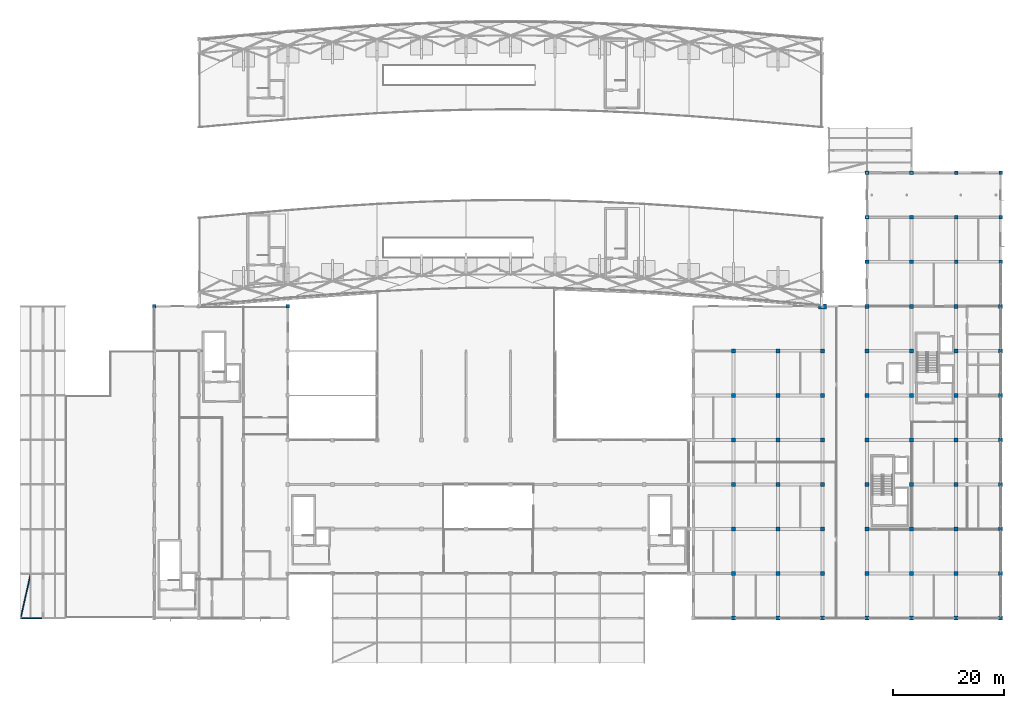
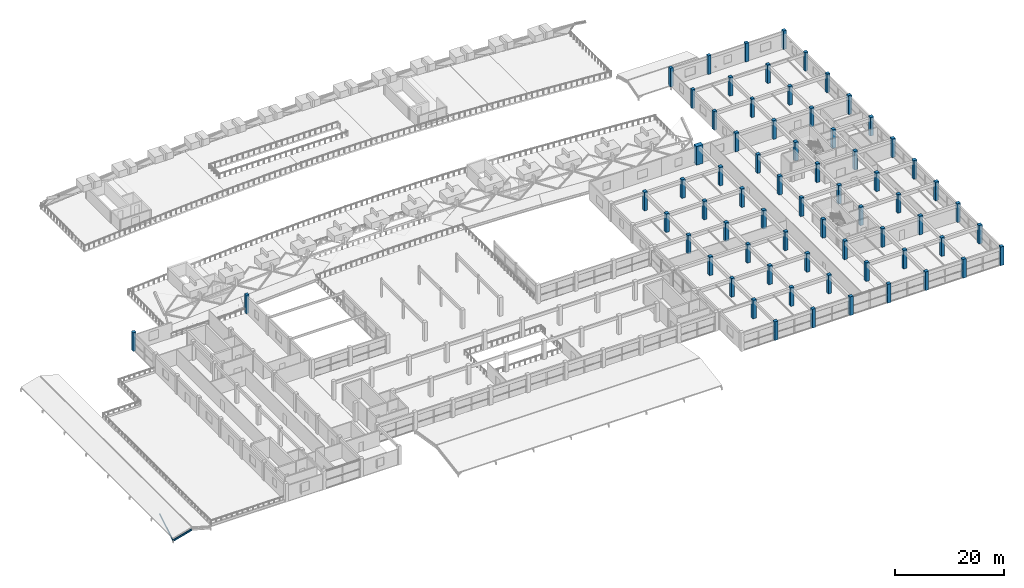
# One storey, part 4 of 67: 68 columns, 1 beam, 1 member.
"""IFC4 building model written with IfcOpenShell, lengths in metres."""

from ifc_helpers import new_model, si_unit, direction, frame, origin, origin_2d, place, context, subcontext, project, spatial, rectangle, hollow_circle, i_section, extrude, material, material_profile, profile_set, type_object, element, save


model = new_model("IFC4")

# Units and contexts
model_context = context("Model", 3, precision=1e-05, world=origin(), true_north=direction((0.0, 1.0)))
body_context = subcontext(model_context, "Body", "Model", "MODEL_VIEW")
ifc_project = project(units=[si_unit("LENGTHUNIT", "METRE"), si_unit("AREAUNIT", "SQUARE_METRE"), si_unit("VOLUMEUNIT", "CUBIC_METRE"), si_unit("PLANEANGLEUNIT", "RADIAN"), si_unit("MASSUNIT", "GRAM", prefix="KILO")], contexts=[model_context])

# Site, building, storey
site_placement = place(None, origin())
site = spatial("IfcSite", under=ifc_project, at=site_placement, CompositionType="ELEMENT")
building_placement = place(site_placement, origin())
building = spatial("IfcBuilding", under=site, at=building_placement, Name="Kenh Van Central Station", CompositionType="ELEMENT")
storey_placement = place(building_placement, frame((0.0, 0.0, 10.800048828125)))
storey = spatial("IfcBuildingStorey", under=building, at=storey_placement, Name="L02", CompositionType="ELEMENT", Elevation=10.800048828125)

# Columns
ifc_material_1 = material(Name="Concrete C40/50", Category="concrete")
ifc_material_profile_1 = material_profile(ifc_material_1, rectangle(XDim=1.39990234375, YDim=0.89990234375, at=origin_2d()), Name="RC 1400x900")
ifc_profile_set_1 = profile_set([ifc_material_profile_1], Name="Concrete C40/50")
column_type_1 = type_object("IfcColumnType", Name="COL-PIER-1400x900", PredefinedType="COLUMN", material=ifc_profile_set_1)
column_placement = place(storey_placement, frame((144.0, 64.0, 0.0), z_axis=(0.0, 0.0, 1.0), x_axis=(1.0, 0.0, 0.0)))
element("IfcColumn", 1, at=column_placement, inside=storey, type_object=column_type_1, Name="L02 column VP-14-0", PredefinedType="COLUMN", context=body_context, shape_type="SweptSolid", body=[
    extrude(rectangle(XDim=1.39990234375, YDim=0.89990234375, at=origin_2d()), origin(), (0.0, 0.0, 1.0), 4.199951171875),
])
ifc_material_2 = material(Name="Concrete C35/45", Category="concrete")
ifc_material_profile_2 = material_profile(ifc_material_2, rectangle(XDim=0.64990234375, YDim=0.64990234375, at=origin_2d()), Name="RC 650x650")
ifc_profile_set_2 = profile_set([ifc_material_profile_2], Name="Concrete C35/45")
column_type_2 = type_object("IfcColumnType", Name="COL-RC-650x650", PredefinedType="COLUMN", material=ifc_profile_set_2)
for number, where, z_axis, x_axis, name in (
    (2, (24.0, 64.0, 0.0), (0.0, 0.0, 1.0), (1.0, 0.0, 0.0), "L02 column CW-024-064"),
    (3, (152.0, 72.0, 0.0), (0.0, 0.0, 1.0), (1.0, 0.0, 0.0), "L02 column CN-1520-072"),
    (4, (152.0, 80.0, 0.0), (0.0, 0.0, 1.0), (1.0, 0.0, 0.0), "L02 column CN-1520-080"),
    (5, (152.0, 88.0, 0.0), (0.0, 0.0, 1.0), (1.0, 0.0, 0.0), "L02 column CN-1520-088"),
    (6, (160.0, 72.0, 0.0), (0.0, 0.0, 1.0), (1.0, 0.0, 0.0), "L02 column CN-1600-072"),
    (7, (160.0, 80.0, 0.0), (0.0, 0.0, 1.0), (1.0, 0.0, 0.0), "L02 column CN-1600-080"),
    (8, (160.0, 88.0, 0.0), (0.0, 0.0, 1.0), (1.0, 0.0, 0.0), "L02 column CN-1600-088"),
    (9, (168.0, 72.0, 0.0), (0.0, 0.0, 1.0), (1.0, 0.0, 0.0), "L02 column CN-1680-072"),
    (10, (168.0, 80.0, 0.0), (0.0, 0.0, 1.0), (1.0, 0.0, 0.0), "L02 column CN-1680-080"),
    (11, (168.0, 88.0, 0.0), (0.0, 0.0, 1.0), (1.0, 0.0, 0.0), "L02 column CN-1680-088"),
    (12, (176.0, 72.0, 0.0), (0.0, 0.0, 1.0), (1.0, 0.0, 0.0), "L02 column CN-1760-072"),
    (13, (176.0, 80.0, 0.0), (0.0, 0.0, 1.0), (1.0, 0.0, 0.0), "L02 column CN-1760-080"),
    (14, (176.0, 88.0, 0.0), (0.0, 0.0, 1.0), (1.0, 0.0, 0.0), "L02 column CN-1760-088"),
    (15, (48.0, 64.0, 0.0), (0.0, 0.0, 1.0), (1.0, 0.0, 0.0), "L02 column CWST-48-64"),
):
    element("IfcColumn", number, at=place(storey_placement, frame(where, z_axis=z_axis, x_axis=x_axis)), inside=storey, type_object=column_type_2, Name=name, PredefinedType="COLUMN", context=body_context, shape_type="SweptSolid", body=[
        extrude(rectangle(XDim=0.64990234375, YDim=0.64990234375, at=origin_2d()), origin(), (0.0, 0.0, 1.0), 4.199951171875),
    ])
ifc_material_profile_3 = material_profile(ifc_material_1, rectangle(XDim=0.699951171875, YDim=0.699951171875, at=origin_2d()), Name="RC 700x700")
ifc_profile_set_3 = profile_set([ifc_material_profile_3], Name="Concrete C40/50")
column_type_3 = type_object("IfcColumnType", Name="COL-RC-700x700", PredefinedType="COLUMN", material=ifc_profile_set_3)
for number, where, z_axis, x_axis, name in (
    (16, (128.0, 8.0, 0.0), (0.0, 0.0, 1.0), (1.0, 0.0, 0.0), "L02 column CE-1280-008"),
    (17, (128.0, 16.0, 0.0), (0.0, 0.0, 1.0), (1.0, 0.0, 0.0), "L02 column CE-1280-016"),
    (18, (128.0, 24.0, 0.0), (0.0, 0.0, 1.0), (1.0, 0.0, 0.0), "L02 column CE-1280-024"),
    (19, (128.0, 32.0, 0.0), (0.0, 0.0, 1.0), (1.0, 0.0, 0.0), "L02 column CE-1280-032"),
    (20, (128.0, 40.0, 0.0), (0.0, 0.0, 1.0), (1.0, 0.0, 0.0), "L02 column CE-1280-040"),
    (21, (128.0, 48.0, 0.0), (0.0, 0.0, 1.0), (1.0, 0.0, 0.0), "L02 column CE-1280-048"),
    (22, (128.0, 56.0, 0.0), (0.0, 0.0, 1.0), (1.0, 0.0, 0.0), "L02 column CE-1280-056"),
    (23, (136.0, 8.0, 0.0), (0.0, 0.0, 1.0), (1.0, 0.0, 0.0), "L02 column CE-1360-008"),
    (24, (136.0, 16.0, 0.0), (0.0, 0.0, 1.0), (1.0, 0.0, 0.0), "L02 column CE-1360-016"),
    (25, (136.0, 24.0, 0.0), (0.0, 0.0, 1.0), (1.0, 0.0, 0.0), "L02 column CE-1360-024"),
    (26, (136.0, 32.0, 0.0), (0.0, 0.0, 1.0), (1.0, 0.0, 0.0), "L02 column CE-1360-032"),
    (27, (136.0, 40.0, 0.0), (0.0, 0.0, 1.0), (1.0, 0.0, 0.0), "L02 column CE-1360-040"),
    (28, (136.0, 48.0, 0.0), (0.0, 0.0, 1.0), (1.0, 0.0, 0.0), "L02 column CE-1360-048"),
    (29, (136.0, 56.0, 0.0), (0.0, 0.0, 1.0), (1.0, 0.0, 0.0), "L02 column CE-1360-056"),
    (30, (144.0, 8.0, 0.0), (0.0, 0.0, 1.0), (1.0, 0.0, 0.0), "L02 column CE-1440-008"),
    (31, (144.0, 16.0, 0.0), (0.0, 0.0, 1.0), (1.0, 0.0, 0.0), "L02 column CE-1440-016"),
    (32, (144.0, 24.0, 0.0), (0.0, 0.0, 1.0), (1.0, 0.0, 0.0), "L02 column CE-1440-024"),
    (33, (144.0, 32.0, 0.0), (0.0, 0.0, 1.0), (1.0, 0.0, 0.0), "L02 column CE-1440-032"),
    (34, (144.0, 40.0, 0.0), (0.0, 0.0, 1.0), (1.0, 0.0, 0.0), "L02 column CE-1440-040"),
    (35, (144.0, 48.0, 0.0), (0.0, 0.0, 1.0), (1.0, 0.0, 0.0), "L02 column CE-1440-048"),
    (36, (144.0, 56.0, 0.0), (0.0, 0.0, 1.0), (1.0, 0.0, 0.0), "L02 column CE-1440-056"),
    (37, (152.0, 8.0, 0.0), (0.0, 0.0, 1.0), (1.0, 0.0, 0.0), "L02 column CE-1520-008"),
    (38, (152.0, 16.0, 0.0), (0.0, 0.0, 1.0), (1.0, 0.0, 0.0), "L02 column CE-1520-016"),
    (39, (152.0, 24.0, 0.0), (0.0, 0.0, 1.0), (1.0, 0.0, 0.0), "L02 column CE-1520-024"),
    (40, (152.0, 32.0, 0.0), (0.0, 0.0, 1.0), (1.0, 0.0, 0.0), "L02 column CE-1520-032"),
    (41, (152.0, 40.0, 0.0), (0.0, 0.0, 1.0), (1.0, 0.0, 0.0), "L02 column CE-1520-040"),
    (42, (152.0, 48.0, 0.0), (0.0, 0.0, 1.0), (1.0, 0.0, 0.0), "L02 column CE-1520-048"),
    (43, (152.0, 56.0, 0.0), (0.0, 0.0, 1.0), (1.0, 0.0, 0.0), "L02 column CE-1520-056"),
    (44, (152.0, 64.0, 0.0), (0.0, 0.0, 1.0), (1.0, 0.0, 0.0), "L02 column CE-1520-064"),
    (45, (160.0, 8.0, 0.0), (0.0, 0.0, 1.0), (1.0, 0.0, 0.0), "L02 column CE-1600-008"),
    (46, (160.0, 16.0, 0.0), (0.0, 0.0, 1.0), (1.0, 0.0, 0.0), "L02 column CE-1600-016"),
    (47, (160.0, 24.0, 0.0), (0.0, 0.0, 1.0), (1.0, 0.0, 0.0), "L02 column CE-1600-024"),
    (48, (160.0, 32.0, 0.0), (0.0, 0.0, 1.0), (1.0, 0.0, 0.0), "L02 column CE-1600-032"),
    (49, (160.0, 40.0, 0.0), (0.0, 0.0, 1.0), (1.0, 0.0, 0.0), "L02 column CE-1600-040"),
    (50, (160.0, 48.0, 0.0), (0.0, 0.0, 1.0), (1.0, 0.0, 0.0), "L02 column CE-1600-048"),
    (51, (160.0, 56.0, 0.0), (0.0, 0.0, 1.0), (1.0, 0.0, 0.0), "L02 column CE-1600-056"),
    (52, (160.0, 64.0, 0.0), (0.0, 0.0, 1.0), (1.0, 0.0, 0.0), "L02 column CE-1600-064"),
    (53, (168.0, 8.0, 0.0), (0.0, 0.0, 1.0), (1.0, 0.0, 0.0), "L02 column CE-1680-008"),
    (54, (168.0, 16.0, 0.0), (0.0, 0.0, 1.0), (1.0, 0.0, 0.0), "L02 column CE-1680-016"),
    (55, (168.0, 24.0, 0.0), (0.0, 0.0, 1.0), (1.0, 0.0, 0.0), "L02 column CE-1680-024"),
    (56, (168.0, 32.0, 0.0), (0.0, 0.0, 1.0), (1.0, 0.0, 0.0), "L02 column CE-1680-032"),
    (57, (168.0, 40.0, 0.0), (0.0, 0.0, 1.0), (1.0, 0.0, 0.0), "L02 column CE-1680-040"),
    (58, (168.0, 48.0, 0.0), (0.0, 0.0, 1.0), (1.0, 0.0, 0.0), "L02 column CE-1680-048"),
    (59, (168.0, 56.0, 0.0), (0.0, 0.0, 1.0), (1.0, 0.0, 0.0), "L02 column CE-1680-056"),
    (60, (168.0, 64.0, 0.0), (0.0, 0.0, 1.0), (1.0, 0.0, 0.0), "L02 column CE-1680-064"),
    (61, (176.0, 8.0, 0.0), (0.0, 0.0, 1.0), (1.0, 0.0, 0.0), "L02 column CE-1760-008"),
    (62, (176.0, 16.0, 0.0), (0.0, 0.0, 1.0), (1.0, 0.0, 0.0), "L02 column CE-1760-016"),
    (63, (176.0, 24.0, 0.0), (0.0, 0.0, 1.0), (1.0, 0.0, 0.0), "L02 column CE-1760-024"),
    (64, (176.0, 32.0, 0.0), (0.0, 0.0, 1.0), (1.0, 0.0, 0.0), "L02 column CE-1760-032"),
    (65, (176.0, 40.0, 0.0), (0.0, 0.0, 1.0), (1.0, 0.0, 0.0), "L02 column CE-1760-040"),
    (66, (176.0, 48.0, 0.0), (0.0, 0.0, 1.0), (1.0, 0.0, 0.0), "L02 column CE-1760-048"),
    (67, (176.0, 56.0, 0.0), (0.0, 0.0, 1.0), (1.0, 0.0, 0.0), "L02 column CE-1760-056"),
    (68, (176.0, 64.0, 0.0), (0.0, 0.0, 1.0), (1.0, 0.0, 0.0), "L02 column CE-1760-064"),
):
    element("IfcColumn", number, at=place(storey_placement, frame(where, z_axis=z_axis, x_axis=x_axis)), inside=storey, type_object=column_type_3, Name=name, PredefinedType="COLUMN", context=body_context, shape_type="SweptSolid", body=[
        extrude(rectangle(XDim=0.699951171875, YDim=0.699951171875, at=origin_2d()), origin(), (0.0, 0.0, 1.0), 4.199951171875),
    ])

# Beam
ifc_material_3 = material(Name="Steel S355", Category="steel")
ifc_material_profile_4 = material_profile(ifc_material_3, i_section(OverallWidth=0.179931640625, OverallDepth=0.39990234375, WebThickness=0.008544921875, FlangeThickness=0.013427734375, FilletRadius=0.02099609375, at=origin_2d()), Name="IPE 400")
ifc_profile_set_4 = profile_set([ifc_material_profile_4], Name="Steel S355")
beam_type = type_object("IfcBeamType", Name="BM-STL-IPE400", PredefinedType="BEAM", material=ifc_profile_set_4)
beam_placement = place(storey_placement, frame((0.0, 8.0, -0.42919921875), z_axis=(0.964214419937, 0.0, 0.265123654896), x_axis=(0.0, 1.0, 0.0)))
element("IfcBeam", 69, at=beam_placement, inside=storey, type_object=beam_type, Name="L02 roof rafter 128", PredefinedType="BEAM", context=body_context, shape_type="SweptSolid", body=[
    extrude(i_section(OverallWidth=0.179931640625, OverallDepth=0.39990234375, WebThickness=0.008544921875, FlangeThickness=0.013427734375, FilletRadius=0.02099609375, at=origin_2d()), origin(), (0.0, 0.0, 1.0), 4.1484375),
])

# Member
ifc_material_profile_5 = material_profile(ifc_material_3, hollow_circle(Radius=0.084228515625, WallThickness=0.008056640625, at=origin_2d()), Name="CHS 168.3x8")
ifc_profile_set_5 = profile_set([ifc_material_profile_5], Name="Steel S355")
member_type = type_object("IfcMemberType", Name="MEM-ROOF-BRC168", PredefinedType="BRACE", material=ifc_profile_set_5)
member_placement = place(storey_placement, frame((0.0, 8.0, -0.42919921875), z_axis=(0.219119192167, 0.973836659287, 0.060240689343), x_axis=(-0.975608480846, 0.219517862832, 0.0)))
element("IfcMember", 70, at=member_placement, inside=storey, type_object=member_type, Name="L02 roof wind brace 035", PredefinedType="BRACE", context=body_context, shape_type="SweptSolid", body=[
    extrude(hollow_circle(Radius=0.084228515625, WallThickness=0.008056640625, at=origin_2d()), origin(), (0.0, 0.0, 1.0), 8.21484375),
])

save(model, "model.ifc")
